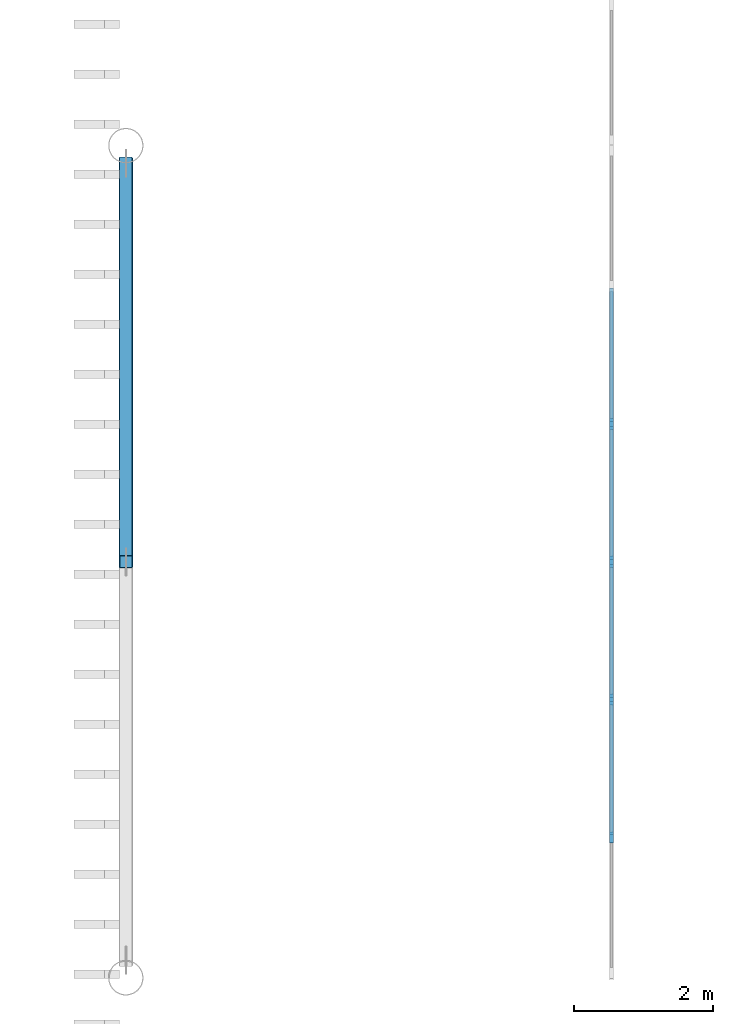
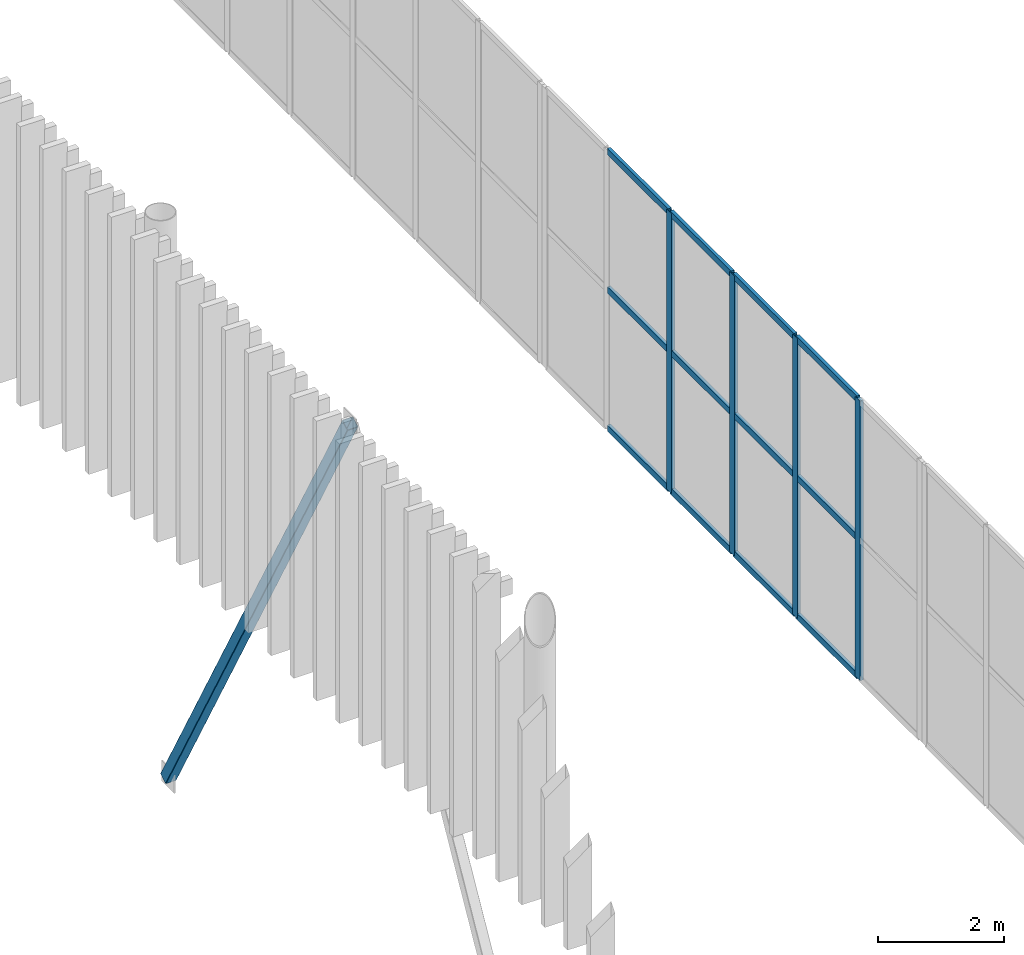
# One storey, part 38 of 170: 17 members, 1 element without a shape of its own.
"""IFC4 building model written with IfcOpenShell, lengths in metres."""

import ifcopenshell
import ifcopenshell.guid

model = None  # the IFC model being written
_history = None  # IfcOwnerHistory: only IFC2X3 demands one
_inside = {}  # id of a spatial element -> (the spatial element, [elements in it])
_under = {}  # id of a project, library or spatial element -> (it, [spatial elements below it])
_declared = {}  # id of a project -> (the project, [libraries it declares])
_typed = {}  # id of a type object -> (the type object, [elements of that type])
_made_of = {}  # id of a material, layer set ... -> (it, [elements and type objects made of it])


def new_model(schema):
    """Start an empty IFC model of exactly this schema.

    Asked for "IFC4X3", IfcOpenShell would pick the latest addendum, in which some entities
    have other attributes; the version numbers below select the first issue.
    IFC2X3 requires an IfcOwnerHistory on every rooted entity: one is made here for all.
    """
    global model, _history
    if schema == "IFC4X3":
        model = ifcopenshell.file(schema_version=(4, 3, 0, 0))
    else:
        model = ifcopenshell.file(schema=schema)
    _inside.clear()
    _under.clear()
    _declared.clear()
    _typed.clear()
    _made_of.clear()
    _history = None
    if model.schema == "IFC2X3":
        org = make("IfcOrganization", Name="unknown")
        user = make(
            "IfcPersonAndOrganization",
            ThePerson=make("IfcPerson", FamilyName="unknown"),
            TheOrganization=org,
        )
        app = make(
            "IfcApplication",
            ApplicationDeveloper=org,
            Version="unknown",
            ApplicationFullName="unknown",
            ApplicationIdentifier="unknown",
        )
        _history = make(
            "IfcOwnerHistory",
            OwningUser=user,
            OwningApplication=app,
            ChangeAction="ADDED",
            CreationDate=0,
        )
    return model


def make(cls, **values):
    """One entity of the class cls with the attributes given. An attribute that is None is left unset."""
    return model.create_entity(
        cls, **{name: value for name, value in values.items() if value is not None}
    )


def rooted(cls, **values):
    """An entity with a GlobalId (a new one), such as an element, a storey or a relation."""
    return make(cls, GlobalId=ifcopenshell.guid.new(), OwnerHistory=_history, **values)


def si_unit(unit_type, name, prefix=None):
    """IfcSIUnit, for example si_unit("LENGTHUNIT", "METRE", prefix="MILLI")."""
    return make("IfcSIUnit", UnitType=unit_type, Prefix=prefix, Name=name)


def assignment(units):
    """IfcUnitAssignment: the units of a project."""
    return None if units is None else make("IfcUnitAssignment", Units=units)


def point(xyz):
    """IfcCartesianPoint."""
    return None if xyz is None else make("IfcCartesianPoint", Coordinates=xyz)


def direction(xyz):
    """IfcDirection."""
    return None if xyz is None else make("IfcDirection", DirectionRatios=xyz)


def frame(location, z_axis=None, x_axis=None):
    """IfcAxis2Placement3D, a coordinate frame: its origin and axes. An axis left out is left unset."""
    return make(
        "IfcAxis2Placement3D",
        Location=point(location),
        Axis=direction(z_axis),
        RefDirection=direction(x_axis),
    )


def frame_2d(location, x_axis=None):
    """IfcAxis2Placement2D, a coordinate frame in the plane: its origin and x axis."""
    return make(
        "IfcAxis2Placement2D", Location=point(location), RefDirection=direction(x_axis)
    )


def origin():
    """The frame at (0, 0, 0) with its axes left unset."""
    return frame((0.0, 0.0, 0.0))


def origin_2d():
    """The frame at (0, 0) in the plane with its x axis left unset."""
    return frame_2d((0.0, 0.0))


def place(relative_to, where):
    """IfcLocalPlacement: puts the frame where relative to a parent placement (None: the world)."""
    return make(
        "IfcLocalPlacement", PlacementRelTo=relative_to, RelativePlacement=where
    )


def context(
    kind, dimensions, precision=None, world=None, true_north=None, identifier=None
):
    """IfcGeometricRepresentationContext, for example the 3D "Model" context."""
    return make(
        "IfcGeometricRepresentationContext",
        ContextIdentifier=identifier,
        ContextType=kind,
        CoordinateSpaceDimension=dimensions,
        Precision=precision,
        WorldCoordinateSystem=world,
        TrueNorth=true_north,
    )


def subcontext(parent, identifier, kind, view, scale=None):
    """IfcGeometricRepresentationSubContext, for example "Body" below "Model"."""
    return make(
        "IfcGeometricRepresentationSubContext",
        ContextIdentifier=identifier,
        ContextType=kind,
        ParentContext=parent,
        TargetScale=scale,
        TargetView=view,
    )


def project(units=None, contexts=None):
    """IfcProject with its units and contexts."""
    return rooted(
        "IfcProject",
        Name="project",
        RepresentationContexts=contexts,
        UnitsInContext=assignment(units),
    )


def spatial(cls, under=None, at=None, **own):
    """A site, building, storey or space (cls), placed at a placement, below another one or the project."""
    s = rooted(cls, ObjectPlacement=at, **own)
    if under is not None:
        _under.setdefault(under.id(), (under, []))[1].append(s)
    return s


def profile(cls, at=None, kind="AREA", **sizes):
    """A parametric profile (cls). Its sizes go by their IFC names, for example OverallWidth=200.0."""
    return make(cls, ProfileType=kind, Position=at, **sizes)


def rectangle(**sizes):
    """IfcRectangleProfileDef."""
    return profile("IfcRectangleProfileDef", **sizes)


def hollow_rectangle(**sizes):
    """IfcRectangleHollowProfileDef."""
    return profile("IfcRectangleHollowProfileDef", **sizes)


def extrude(swept, where, along, depth):
    """IfcExtrudedAreaSolid: the profile swept, set in the frame where, extruded along a direction by depth."""
    return make(
        "IfcExtrudedAreaSolid",
        SweptArea=swept,
        Position=where,
        ExtrudedDirection=direction(along),
        Depth=depth,
    )


def shape(context_of_items, identifier, shape_type, items):
    """IfcShapeRepresentation: the items that make up one representation, for example the "Body"."""
    return make(
        "IfcShapeRepresentation",
        ContextOfItems=context_of_items,
        RepresentationIdentifier=identifier,
        RepresentationType=shape_type,
        Items=items,
    )


def material(Name=None, Category=None):
    """IfcMaterial."""
    return make("IfcMaterial", Name=Name, Category=Category)


def layer(
    of_material, thickness, ventilated=None, Name=None, Category=None, Priority=None
):
    """IfcMaterialLayer: one layer of a wall or slab, of a material (None: an air gap)."""
    return make(
        "IfcMaterialLayer",
        Material=of_material,
        LayerThickness=thickness,
        IsVentilated=ventilated,
        Name=Name,
        Category=Category,
        Priority=Priority,
    )


def layer_set(layers, Name=None):
    """IfcMaterialLayerSet."""
    return make("IfcMaterialLayerSet", MaterialLayers=layers, LayerSetName=Name)


def material_profile(
    of_material, cross_section, Name=None, Category=None, Priority=None
):
    """IfcMaterialProfile: a cross section and its material."""
    return make(
        "IfcMaterialProfile",
        Name=Name,
        Material=of_material,
        Profile=cross_section,
        Priority=Priority,
        Category=Category,
    )


def profile_set(profiles, Name=None, composite=None):
    """IfcMaterialProfileSet."""
    return make(
        "IfcMaterialProfileSet",
        Name=Name,
        MaterialProfiles=profiles,
        CompositeProfile=composite,
    )


def made_of(thing, what):
    """Note that an element or type object is made of a material, layer set ...; save() writes the relation."""
    if what is not None:
        _made_of.setdefault(what.id(), (what, []))[1].append(thing)
    return thing


def type_object(cls, material=None, **own):
    """A type object (cls), such as IfcWallType, which elements share."""
    return made_of(rooted(cls, **own), material)


def element(
    cls,
    number,
    at=None,
    inside=None,
    cuts=None,
    type_object=None,
    material=None,
    context=None,
    identifier="Body",
    shape_type=None,
    held_by="IfcProductDefinitionShape",
    body=None,
    shapes=None,
    **own,
):
    """One element of the class cls, such as IfcWall. Its Tag is "e" and its number.

    at: its placement. inside: the storey or other place that contains it. cuts: it is an
    opening in that element (IfcRelVoidsElement). A single representation is given by context,
    identifier, shape_type and body (its items); several are given by shapes. held_by: the class
    of the entity that holds the representations. save() writes the other relations.
    """
    e = rooted(cls, Tag="e%d" % number, ObjectPlacement=at, **own)
    if body is not None:
        shapes = [shape(context, identifier, shape_type, body)]
    if shapes is not None:
        e.Representation = make(held_by, Representations=shapes)
    if inside is not None:
        _inside.setdefault(inside.id(), (inside, []))[1].append(e)
    if cuts is not None:
        rooted(
            "IfcRelVoidsElement", RelatingBuildingElement=cuts, RelatedOpeningElement=e
        )
    if type_object is not None:
        _typed.setdefault(type_object.id(), (type_object, []))[1].append(e)
    return made_of(e, material)


def aggregate(whole, parts):
    """IfcRelAggregates: a whole, such as a stair, and the parts it consists of."""
    return rooted("IfcRelAggregates", RelatingObject=whole, RelatedObjects=parts)


def save(model, path):
    """Write the relations noted so far, then the file.

    IfcRelAggregates (storeys below a building ...), IfcRelContainedInSpatialStructure (elements
    in a storey), IfcRelDefinesByType, IfcRelAssociatesMaterial and IfcRelDeclares: one each for
    every whole, place, type object, material and project.
    """
    for whole, parts in _under.values():
        aggregate(whole, parts)
    for where, things in _inside.values():
        rooted(
            "IfcRelContainedInSpatialStructure",
            RelatedElements=things,
            RelatingStructure=where,
        )
    for kind, things in _typed.values():
        rooted("IfcRelDefinesByType", RelatedObjects=things, RelatingType=kind)
    for what, things in _made_of.values():
        rooted("IfcRelAssociatesMaterial", RelatedObjects=things, RelatingMaterial=what)
    for by, libraries in _declared.values():
        rooted("IfcRelDeclares", RelatingContext=by, RelatedDefinitions=libraries)
    model.write(path)


model = new_model("IFC4")

# Units and contexts
model_context = context("Model", 3, precision=1e-05, world=origin(), true_north=direction((0.0, 1.0)))
body_context = subcontext(model_context, "Body", "Model", "MODEL_VIEW")
ifc_project = project(units=[si_unit("LENGTHUNIT", "METRE"), si_unit("AREAUNIT", "SQUARE_METRE"), si_unit("VOLUMEUNIT", "CUBIC_METRE"), si_unit("PLANEANGLEUNIT", "RADIAN"), si_unit("MASSUNIT", "GRAM", prefix="KILO")], contexts=[model_context])

# Site, building, storey
site_placement = place(None, origin())
site = spatial("IfcSite", under=ifc_project, at=site_placement, CompositionType="ELEMENT")
building_placement = place(site_placement, origin())
building = spatial("IfcBuilding", under=site, at=building_placement, Name="Ravi Spectrum Wholesale Market", CompositionType="ELEMENT")
storey_placement = place(building_placement, frame((0.0, 0.0, 5.39990234375)))
storey = spatial("IfcBuildingStorey", under=building, at=storey_placement, Name="L01", CompositionType="ELEMENT", Elevation=5.39990234375)

# Curtain wall, members
ifc_material_1 = material(Name="Aluminium 6063-T6", Category="aluminium")
ifc_layer = layer(ifc_material_1, 0.14990234375)
ifc_layer_set = layer_set([ifc_layer], Name="Aluminium 6063-T6")
curtain_wall_type = type_object("IfcCurtainWallType", Name="Curtain wall 150", PredefinedType="NOTDEFINED", material=ifc_layer_set)
curtain_wall_placement = place(storey_placement, origin())
curtain_wall = element("IfcCurtainWall", 1, at=curtain_wall_placement, inside=storey, type_object=curtain_wall_type, Name="H1-CW-L01-004", PredefinedType="NOTDEFINED")
ifc_material_2 = material(Name="Aluminium 6063-T6", Category="aluminium")
ifc_material_profile_1 = material_profile(ifc_material_2, rectangle(XDim=0.06005859375, YDim=0.159912109375, at=origin_2d()))
ifc_profile_set_1 = profile_set([ifc_material_profile_1], Name="Aluminium 6063-T6")
member_type_1 = type_object("IfcMemberType", Name="Mullion 60 x 160", PredefinedType="MULLION", material=ifc_profile_set_1)
member_1_placement = place(storey_placement, frame((37.0, 68.026611328125, 0.0), z_axis=(0.0, 0.0, 1.0), x_axis=(-1.0, 0.0, 0.0)))
member_1 = element("IfcMember", 2, at=member_1_placement, type_object=member_type_1, Name="H1-CW-L01-004 mullion 2", PredefinedType="MULLION", context=body_context, shape_type="SweptSolid", body=[
    extrude(rectangle(XDim=0.06005859375, YDim=0.159912109375, at=origin_2d()), origin(), (0.0, 0.0, 1.0), 5.400146484375),
])
member_2_placement = place(storey_placement, frame((37.0, 70.013427734375, 0.0), z_axis=(0.0, 0.0, 1.0), x_axis=(-1.0, 0.0, 0.0)))
member_2 = element("IfcMember", 3, at=member_2_placement, type_object=member_type_1, Name="H1-CW-L01-004 mullion 3", PredefinedType="MULLION", context=body_context, shape_type="SweptSolid", body=[
    extrude(rectangle(XDim=0.06005859375, YDim=0.159912109375, at=origin_2d()), origin(), (0.0, 0.0, 1.0), 5.400146484375),
])
member_3_placement = place(storey_placement, frame((37.0, 72.0, 0.0), z_axis=(0.0, 0.0, 1.0), x_axis=(-1.0, 0.0, 0.0)))
member_3 = element("IfcMember", 4, at=member_3_placement, type_object=member_type_1, Name="H1-CW-L01-004 mullion 4", PredefinedType="MULLION", context=body_context, shape_type="SweptSolid", body=[
    extrude(rectangle(XDim=0.06005859375, YDim=0.159912109375, at=origin_2d()), origin(), (0.0, 0.0, 1.0), 5.400146484375),
])
member_4_placement = place(storey_placement, frame((37.0, 73.986572265625, 0.0), z_axis=(0.0, 0.0, 1.0), x_axis=(-1.0, 0.0, 0.0)))
member_4 = element("IfcMember", 5, at=member_4_placement, type_object=member_type_1, Name="H1-CW-L01-004 mullion 5", PredefinedType="MULLION", context=body_context, shape_type="SweptSolid", body=[
    extrude(rectangle(XDim=0.06005859375, YDim=0.159912109375, at=origin_2d()), origin(), (0.0, 0.0, 1.0), 5.400146484375),
])

# Member
ifc_material_3 = material(Name="Steel S355", Category="steel")
ifc_material_profile_2 = material_profile(ifc_material_3, hollow_rectangle(XDim=0.199951171875, YDim=0.199951171875, WallThickness=0.008056640625, InnerFilletRadius=0.008056640625, OuterFilletRadius=0.01611328125, at=origin_2d()))
ifc_profile_set_2 = profile_set([ifc_material_profile_2], Name="Steel S355")
member_type_2 = type_object("IfcMemberType", Name="SHS 200x200x8 brace", PredefinedType="BRACE", material=ifc_profile_set_2)
member_5_placement = place(storey_placement, frame((30.0, 77.74609375, -5.350830078125), z_axis=(0.0, -0.487151805571, 0.873317306784), x_axis=(1.0, 0.0, 0.0)))
element("IfcMember", 6, at=member_5_placement, inside=storey, type_object=member_type_2, Name="H1-MB-L01-004", PredefinedType="BRACE", context=body_context, shape_type="SweptSolid", body=[
    extrude(hollow_rectangle(XDim=0.199951171875, YDim=0.199951171875, WallThickness=0.008056640625, InnerFilletRadius=0.008056640625, OuterFilletRadius=0.01611328125, at=origin_2d()), origin(), (0.0, 0.0, 1.0), 11.795166015625),
])

ifc_material_4 = material(Name="Aluminium 6063-T6", Category="aluminium")
ifc_material_profile_3 = material_profile(ifc_material_4, rectangle(XDim=0.06005859375, YDim=0.1201171875, at=origin_2d()))
ifc_profile_set_3 = profile_set([ifc_material_profile_3], Name="Aluminium 6063-T6")
member_type_3 = type_object("IfcMemberType", Name="Transom 60 x 120", PredefinedType="USERDEFINED", material=ifc_profile_set_3)
member_6_placement = place(storey_placement, frame((37.0, 68.056640625, 0.030029296875), z_axis=(0.0, 1.0, 0.0), x_axis=(-1.0, 0.0, 0.0)))
member_6 = element("IfcMember", 7, at=member_6_placement, type_object=member_type_3, Name="H1-CW-L01-004 transom 2.1", ObjectType="TRANSOM", PredefinedType="USERDEFINED", context=body_context, shape_type="SweptSolid", body=[
    extrude(rectangle(XDim=0.06005859375, YDim=0.1201171875, at=origin_2d()), origin(), (0.0, 0.0, 1.0), 1.9267578125),
])

member_7_placement = place(storey_placement, frame((37.0, 68.056640625, 2.7001953125), z_axis=(0.0, 1.0, 0.0), x_axis=(-1.0, 0.0, 0.0)))
member_7 = element("IfcMember", 8, at=member_7_placement, type_object=member_type_3, Name="H1-CW-L01-004 transom 2.2", ObjectType="TRANSOM", PredefinedType="USERDEFINED", context=body_context, shape_type="SweptSolid", body=[
    extrude(rectangle(XDim=0.06005859375, YDim=0.1201171875, at=origin_2d()), origin(), (0.0, 0.0, 1.0), 1.9267578125),
])

member_8_placement = place(storey_placement, frame((37.0, 68.056640625, 5.3701171875), z_axis=(0.0, 1.0, 0.0), x_axis=(-1.0, 0.0, 0.0)))
member_8 = element("IfcMember", 9, at=member_8_placement, type_object=member_type_3, Name="H1-CW-L01-004 transom 2.3", ObjectType="TRANSOM", PredefinedType="USERDEFINED", context=body_context, shape_type="SweptSolid", body=[
    extrude(rectangle(XDim=0.06005859375, YDim=0.1201171875, at=origin_2d()), origin(), (0.0, 0.0, 1.0), 1.9267578125),
])

member_9_placement = place(storey_placement, frame((37.0, 70.043212890625, 0.030029296875), z_axis=(0.0, 1.0, 0.0), x_axis=(-1.0, 0.0, 0.0)))
member_9 = element("IfcMember", 10, at=member_9_placement, type_object=member_type_3, Name="H1-CW-L01-004 transom 3.1", ObjectType="TRANSOM", PredefinedType="USERDEFINED", context=body_context, shape_type="SweptSolid", body=[
    extrude(rectangle(XDim=0.06005859375, YDim=0.1201171875, at=origin_2d()), origin(), (0.0, 0.0, 1.0), 1.9267578125),
])

member_10_placement = place(storey_placement, frame((37.0, 70.043212890625, 2.7001953125), z_axis=(0.0, 1.0, 0.0), x_axis=(-1.0, 0.0, 0.0)))
member_10 = element("IfcMember", 11, at=member_10_placement, type_object=member_type_3, Name="H1-CW-L01-004 transom 3.2", ObjectType="TRANSOM", PredefinedType="USERDEFINED", context=body_context, shape_type="SweptSolid", body=[
    extrude(rectangle(XDim=0.06005859375, YDim=0.1201171875, at=origin_2d()), origin(), (0.0, 0.0, 1.0), 1.9267578125),
])

member_11_placement = place(storey_placement, frame((37.0, 70.043212890625, 5.3701171875), z_axis=(0.0, 1.0, 0.0), x_axis=(-1.0, 0.0, 0.0)))
member_11 = element("IfcMember", 12, at=member_11_placement, type_object=member_type_3, Name="H1-CW-L01-004 transom 3.3", ObjectType="TRANSOM", PredefinedType="USERDEFINED", context=body_context, shape_type="SweptSolid", body=[
    extrude(rectangle(XDim=0.06005859375, YDim=0.1201171875, at=origin_2d()), origin(), (0.0, 0.0, 1.0), 1.9267578125),
])

member_12_placement = place(storey_placement, frame((37.0, 72.030029296875, 0.030029296875), z_axis=(0.0, 1.0, 0.0), x_axis=(-1.0, 0.0, 0.0)))
member_12 = element("IfcMember", 13, at=member_12_placement, type_object=member_type_3, Name="H1-CW-L01-004 transom 4.1", ObjectType="TRANSOM", PredefinedType="USERDEFINED", context=body_context, shape_type="SweptSolid", body=[
    extrude(rectangle(XDim=0.06005859375, YDim=0.1201171875, at=origin_2d()), origin(), (0.0, 0.0, 1.0), 1.9267578125),
])

member_13_placement = place(storey_placement, frame((37.0, 72.030029296875, 2.7001953125), z_axis=(0.0, 1.0, 0.0), x_axis=(-1.0, 0.0, 0.0)))
member_13 = element("IfcMember", 14, at=member_13_placement, type_object=member_type_3, Name="H1-CW-L01-004 transom 4.2", ObjectType="TRANSOM", PredefinedType="USERDEFINED", context=body_context, shape_type="SweptSolid", body=[
    extrude(rectangle(XDim=0.06005859375, YDim=0.1201171875, at=origin_2d()), origin(), (0.0, 0.0, 1.0), 1.9267578125),
])

member_14_placement = place(storey_placement, frame((37.0, 72.030029296875, 5.3701171875), z_axis=(0.0, 1.0, 0.0), x_axis=(-1.0, 0.0, 0.0)))
member_14 = element("IfcMember", 15, at=member_14_placement, type_object=member_type_3, Name="H1-CW-L01-004 transom 4.3", ObjectType="TRANSOM", PredefinedType="USERDEFINED", context=body_context, shape_type="SweptSolid", body=[
    extrude(rectangle(XDim=0.06005859375, YDim=0.1201171875, at=origin_2d()), origin(), (0.0, 0.0, 1.0), 1.9267578125),
])

member_15_placement = place(storey_placement, frame((37.0, 74.0166015625, 0.030029296875), z_axis=(0.0, 1.0, 0.0), x_axis=(-1.0, 0.0, 0.0)))
member_15 = element("IfcMember", 16, at=member_15_placement, type_object=member_type_3, Name="H1-CW-L01-004 transom 5.1", ObjectType="TRANSOM", PredefinedType="USERDEFINED", context=body_context, shape_type="SweptSolid", body=[
    extrude(rectangle(XDim=0.06005859375, YDim=0.1201171875, at=origin_2d()), origin(), (0.0, 0.0, 1.0), 1.9267578125),
])

member_16_placement = place(storey_placement, frame((37.0, 74.0166015625, 2.7001953125), z_axis=(0.0, 1.0, 0.0), x_axis=(-1.0, 0.0, 0.0)))
member_16 = element("IfcMember", 17, at=member_16_placement, type_object=member_type_3, Name="H1-CW-L01-004 transom 5.2", ObjectType="TRANSOM", PredefinedType="USERDEFINED", context=body_context, shape_type="SweptSolid", body=[
    extrude(rectangle(XDim=0.06005859375, YDim=0.1201171875, at=origin_2d()), origin(), (0.0, 0.0, 1.0), 1.9267578125),
])

member_17_placement = place(storey_placement, frame((37.0, 74.0166015625, 5.3701171875), z_axis=(0.0, 1.0, 0.0), x_axis=(-1.0, 0.0, 0.0)))
member_17 = element("IfcMember", 18, at=member_17_placement, type_object=member_type_3, Name="H1-CW-L01-004 transom 5.3", ObjectType="TRANSOM", PredefinedType="USERDEFINED", context=body_context, shape_type="SweptSolid", body=[
    extrude(rectangle(XDim=0.06005859375, YDim=0.1201171875, at=origin_2d()), origin(), (0.0, 0.0, 1.0), 1.9267578125),
])

aggregate(curtain_wall, [member_1, member_2, member_3, member_4, member_6, member_7, member_8, member_9, member_10, member_11, member_12, member_13, member_14, member_15, member_16, member_17])

save(model, "model.ifc")
